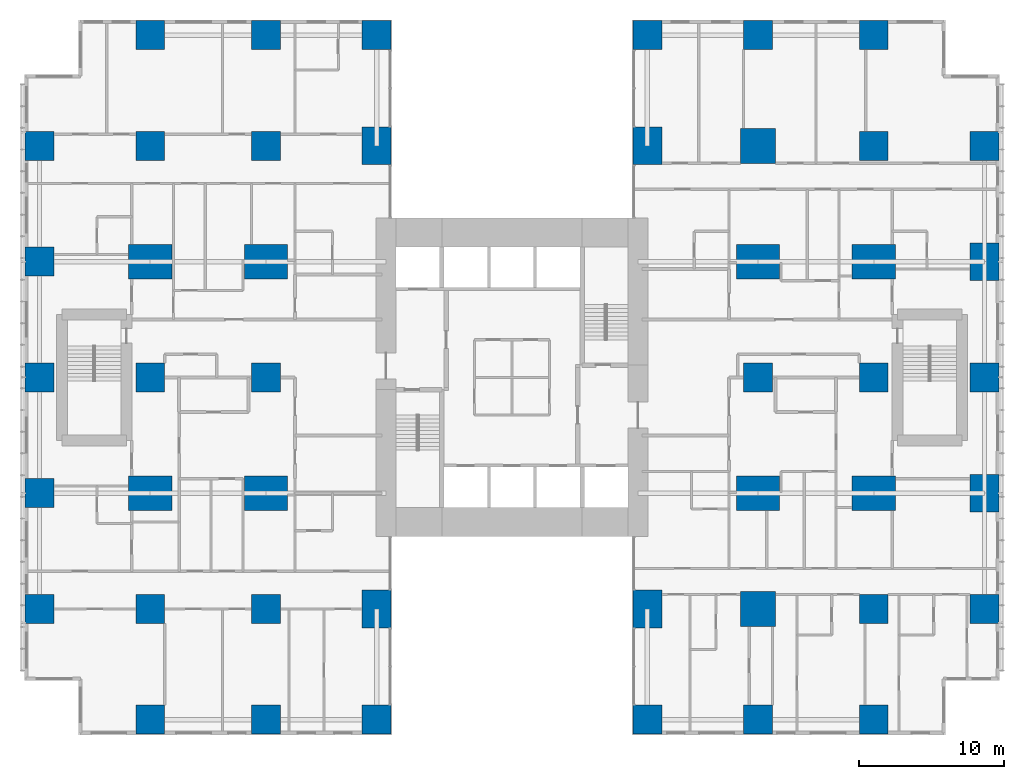
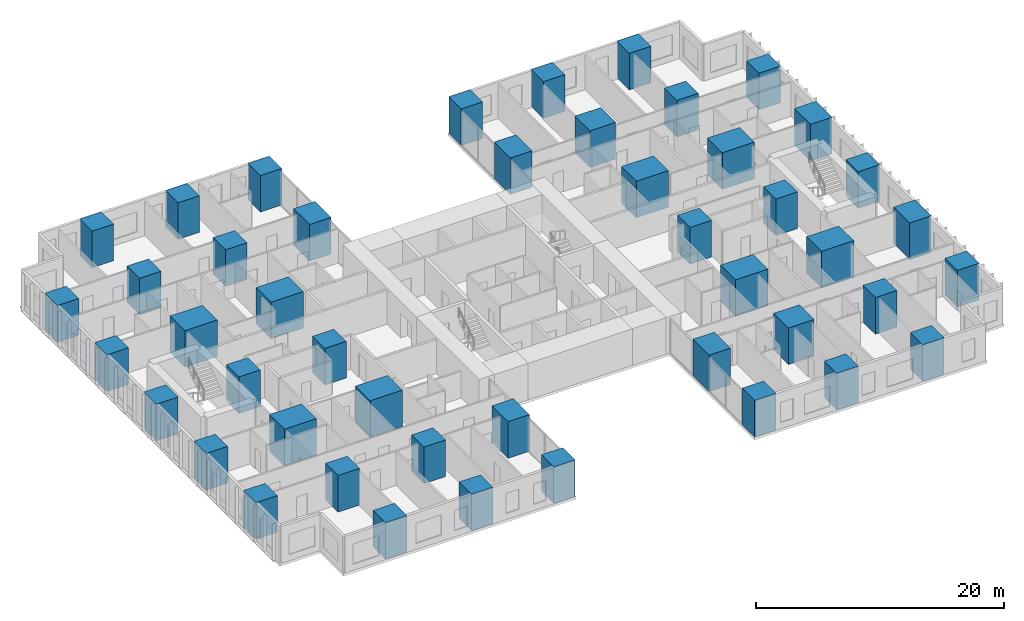
# One storey, part 1 of 20: 46 columns.
"""IFC4 building model written with IfcOpenShell, lengths in metres."""

import ifcopenshell
import ifcopenshell.guid

model = None  # the IFC model being written
_history = None  # IfcOwnerHistory: only IFC2X3 demands one
_inside = {}  # id of a spatial element -> (the spatial element, [elements in it])
_under = {}  # id of a project, library or spatial element -> (it, [spatial elements below it])
_declared = {}  # id of a project -> (the project, [libraries it declares])
_typed = {}  # id of a type object -> (the type object, [elements of that type])
_made_of = {}  # id of a material, layer set ... -> (it, [elements and type objects made of it])


def new_model(schema):
    """Start an empty IFC model of exactly this schema.

    Asked for "IFC4X3", IfcOpenShell would pick the latest addendum, in which some entities
    have other attributes; the version numbers below select the first issue.
    IFC2X3 requires an IfcOwnerHistory on every rooted entity: one is made here for all.
    """
    global model, _history
    if schema == "IFC4X3":
        model = ifcopenshell.file(schema_version=(4, 3, 0, 0))
    else:
        model = ifcopenshell.file(schema=schema)
    _inside.clear()
    _under.clear()
    _declared.clear()
    _typed.clear()
    _made_of.clear()
    _history = None
    if model.schema == "IFC2X3":
        org = make("IfcOrganization", Name="unknown")
        user = make(
            "IfcPersonAndOrganization",
            ThePerson=make("IfcPerson", FamilyName="unknown"),
            TheOrganization=org,
        )
        app = make(
            "IfcApplication",
            ApplicationDeveloper=org,
            Version="unknown",
            ApplicationFullName="unknown",
            ApplicationIdentifier="unknown",
        )
        _history = make(
            "IfcOwnerHistory",
            OwningUser=user,
            OwningApplication=app,
            ChangeAction="ADDED",
            CreationDate=0,
        )
    return model


def make(cls, **values):
    """One entity of the class cls with the attributes given. An attribute that is None is left unset."""
    return model.create_entity(
        cls, **{name: value for name, value in values.items() if value is not None}
    )


def rooted(cls, **values):
    """An entity with a GlobalId (a new one), such as an element, a storey or a relation."""
    return make(cls, GlobalId=ifcopenshell.guid.new(), OwnerHistory=_history, **values)


def si_unit(unit_type, name, prefix=None):
    """IfcSIUnit, for example si_unit("LENGTHUNIT", "METRE", prefix="MILLI")."""
    return make("IfcSIUnit", UnitType=unit_type, Prefix=prefix, Name=name)


def assignment(units):
    """IfcUnitAssignment: the units of a project."""
    return None if units is None else make("IfcUnitAssignment", Units=units)


def point(xyz):
    """IfcCartesianPoint."""
    return None if xyz is None else make("IfcCartesianPoint", Coordinates=xyz)


def direction(xyz):
    """IfcDirection."""
    return None if xyz is None else make("IfcDirection", DirectionRatios=xyz)


def frame(location, z_axis=None, x_axis=None):
    """IfcAxis2Placement3D, a coordinate frame: its origin and axes. An axis left out is left unset."""
    return make(
        "IfcAxis2Placement3D",
        Location=point(location),
        Axis=direction(z_axis),
        RefDirection=direction(x_axis),
    )


def frame_2d(location, x_axis=None):
    """IfcAxis2Placement2D, a coordinate frame in the plane: its origin and x axis."""
    return make(
        "IfcAxis2Placement2D", Location=point(location), RefDirection=direction(x_axis)
    )


def origin():
    """The frame at (0, 0, 0) with its axes left unset."""
    return frame((0.0, 0.0, 0.0))


def origin_2d():
    """The frame at (0, 0) in the plane with its x axis left unset."""
    return frame_2d((0.0, 0.0))


def place(relative_to, where):
    """IfcLocalPlacement: puts the frame where relative to a parent placement (None: the world)."""
    return make(
        "IfcLocalPlacement", PlacementRelTo=relative_to, RelativePlacement=where
    )


def context(
    kind, dimensions, precision=None, world=None, true_north=None, identifier=None
):
    """IfcGeometricRepresentationContext, for example the 3D "Model" context."""
    return make(
        "IfcGeometricRepresentationContext",
        ContextIdentifier=identifier,
        ContextType=kind,
        CoordinateSpaceDimension=dimensions,
        Precision=precision,
        WorldCoordinateSystem=world,
        TrueNorth=true_north,
    )


def subcontext(parent, identifier, kind, view, scale=None):
    """IfcGeometricRepresentationSubContext, for example "Body" below "Model"."""
    return make(
        "IfcGeometricRepresentationSubContext",
        ContextIdentifier=identifier,
        ContextType=kind,
        ParentContext=parent,
        TargetScale=scale,
        TargetView=view,
    )


def project(units=None, contexts=None):
    """IfcProject with its units and contexts."""
    return rooted(
        "IfcProject",
        Name="project",
        RepresentationContexts=contexts,
        UnitsInContext=assignment(units),
    )


def spatial(cls, under=None, at=None, **own):
    """A site, building, storey or space (cls), placed at a placement, below another one or the project."""
    s = rooted(cls, ObjectPlacement=at, **own)
    if under is not None:
        _under.setdefault(under.id(), (under, []))[1].append(s)
    return s


def profile(cls, at=None, kind="AREA", **sizes):
    """A parametric profile (cls). Its sizes go by their IFC names, for example OverallWidth=200.0."""
    return make(cls, ProfileType=kind, Position=at, **sizes)


def rectangle(**sizes):
    """IfcRectangleProfileDef."""
    return profile("IfcRectangleProfileDef", **sizes)


def extrude(swept, where, along, depth):
    """IfcExtrudedAreaSolid: the profile swept, set in the frame where, extruded along a direction by depth."""
    return make(
        "IfcExtrudedAreaSolid",
        SweptArea=swept,
        Position=where,
        ExtrudedDirection=direction(along),
        Depth=depth,
    )


def shape(context_of_items, identifier, shape_type, items):
    """IfcShapeRepresentation: the items that make up one representation, for example the "Body"."""
    return make(
        "IfcShapeRepresentation",
        ContextOfItems=context_of_items,
        RepresentationIdentifier=identifier,
        RepresentationType=shape_type,
        Items=items,
    )


def material(Name=None, Category=None):
    """IfcMaterial."""
    return make("IfcMaterial", Name=Name, Category=Category)


def material_profile(
    of_material, cross_section, Name=None, Category=None, Priority=None
):
    """IfcMaterialProfile: a cross section and its material."""
    return make(
        "IfcMaterialProfile",
        Name=Name,
        Material=of_material,
        Profile=cross_section,
        Priority=Priority,
        Category=Category,
    )


def profile_set(profiles, Name=None, composite=None):
    """IfcMaterialProfileSet."""
    return make(
        "IfcMaterialProfileSet",
        Name=Name,
        MaterialProfiles=profiles,
        CompositeProfile=composite,
    )


def made_of(thing, what):
    """Note that an element or type object is made of a material, layer set ...; save() writes the relation."""
    if what is not None:
        _made_of.setdefault(what.id(), (what, []))[1].append(thing)
    return thing


def type_object(cls, material=None, **own):
    """A type object (cls), such as IfcWallType, which elements share."""
    return made_of(rooted(cls, **own), material)


def element(
    cls,
    number,
    at=None,
    inside=None,
    cuts=None,
    type_object=None,
    material=None,
    context=None,
    identifier="Body",
    shape_type=None,
    held_by="IfcProductDefinitionShape",
    body=None,
    shapes=None,
    **own,
):
    """One element of the class cls, such as IfcWall. Its Tag is "e" and its number.

    at: its placement. inside: the storey or other place that contains it. cuts: it is an
    opening in that element (IfcRelVoidsElement). A single representation is given by context,
    identifier, shape_type and body (its items); several are given by shapes. held_by: the class
    of the entity that holds the representations. save() writes the other relations.
    """
    e = rooted(cls, Tag="e%d" % number, ObjectPlacement=at, **own)
    if body is not None:
        shapes = [shape(context, identifier, shape_type, body)]
    if shapes is not None:
        e.Representation = make(held_by, Representations=shapes)
    if inside is not None:
        _inside.setdefault(inside.id(), (inside, []))[1].append(e)
    if cuts is not None:
        rooted(
            "IfcRelVoidsElement", RelatingBuildingElement=cuts, RelatedOpeningElement=e
        )
    if type_object is not None:
        _typed.setdefault(type_object.id(), (type_object, []))[1].append(e)
    return made_of(e, material)


def aggregate(whole, parts):
    """IfcRelAggregates: a whole, such as a stair, and the parts it consists of."""
    return rooted("IfcRelAggregates", RelatingObject=whole, RelatedObjects=parts)


def save(model, path):
    """Write the relations noted so far, then the file.

    IfcRelAggregates (storeys below a building ...), IfcRelContainedInSpatialStructure (elements
    in a storey), IfcRelDefinesByType, IfcRelAssociatesMaterial and IfcRelDeclares: one each for
    every whole, place, type object, material and project.
    """
    for whole, parts in _under.values():
        aggregate(whole, parts)
    for where, things in _inside.values():
        rooted(
            "IfcRelContainedInSpatialStructure",
            RelatedElements=things,
            RelatingStructure=where,
        )
    for kind, things in _typed.values():
        rooted("IfcRelDefinesByType", RelatedObjects=things, RelatingType=kind)
    for what, things in _made_of.values():
        rooted("IfcRelAssociatesMaterial", RelatedObjects=things, RelatingMaterial=what)
    for by, libraries in _declared.values():
        rooted("IfcRelDeclares", RelatingContext=by, RelatedDefinitions=libraries)
    model.write(path)


model = new_model("IFC4")

# Units and contexts
model_context = context("Model", 3, precision=1e-05, world=origin(), true_north=direction((0.0, 1.0)))
body_context = subcontext(model_context, "Body", "Model", "MODEL_VIEW")
ifc_project = project(units=[si_unit("LENGTHUNIT", "METRE"), si_unit("AREAUNIT", "SQUARE_METRE"), si_unit("VOLUMEUNIT", "CUBIC_METRE"), si_unit("PLANEANGLEUNIT", "RADIAN"), si_unit("MASSUNIT", "GRAM", prefix="KILO")], contexts=[model_context])

# Site, building, storey
site_placement = place(None, origin())
site = spatial("IfcSite", under=ifc_project, at=site_placement, CompositionType="ELEMENT")
building_placement = place(site_placement, origin())
building = spatial("IfcBuilding", under=site, at=building_placement, Name="Cleftline Residences", CompositionType="ELEMENT")
storey_placement = place(building_placement, frame((0.0, 0.0, 51.199951171875)))
storey = spatial("IfcBuildingStorey", under=building, at=storey_placement, Name="L12", CompositionType="ELEMENT", Elevation=51.199951171875)

# Columns
ifc_material_1 = material(Name="Concrete B70", Category="concrete")
ifc_material_profile_1 = material_profile(ifc_material_1, rectangle(XDim=2.0, YDim=2.0, at=origin_2d()))
ifc_profile_set_1 = profile_set([ifc_material_profile_1], Name="Concrete B70")
column_type_1 = type_object("IfcColumnType", Name="COLUMN RC2000X2000", PredefinedType="COLUMN", material=ifc_profile_set_1)
for number, where, z_axis, x_axis, name in (
    (1, (0.35009765625, 8.0, 0.0), (0.0, 0.0, 1.0), (1.0, 0.0, 0.0), "Column D/3"),
    (2, (0.35009765625, 16.0, 0.0), (0.0, 0.0, 1.0), (1.0, 0.0, 0.0), "Column E/3"),
    (3, (0.35009765625, 24.0, 0.0), (0.0, 0.0, 1.0), (1.0, 0.0, 0.0), "Column F/3"),
    (4, (0.35009765625, 32.0, 0.0), (0.0, 0.0, 1.0), (1.0, 0.0, 0.0), "Column G/3"),
    (5, (0.35009765625, 40.0, 0.0), (0.0, 0.0, 1.0), (1.0, 0.0, 0.0), "Column H/3"),
    (6, (8.0, 0.35009765625, 0.0), (0.0, 0.0, 1.0), (1.0, 0.0, 0.0), "Column C/4"),
    (7, (8.0, 8.0, 0.0), (0.0, 0.0, 1.0), (1.0, 0.0, 0.0), "Column D/4"),
    (8, (8.0, 24.0, 0.0), (0.0, 0.0, 1.0), (1.0, 0.0, 0.0), "Column F/4"),
    (9, (8.0, 40.0, 0.0), (0.0, 0.0, 1.0), (1.0, 0.0, 0.0), "Column H/4"),
    (10, (8.0, 47.64990234375, 0.0), (0.0, 0.0, 1.0), (1.0, 0.0, 0.0), "Column J/4"),
    (11, (16.0, 0.35009765625, 0.0), (0.0, 0.0, 1.0), (1.0, 0.0, 0.0), "Column C/5"),
    (12, (16.0, 8.0, 0.0), (0.0, 0.0, 1.0), (1.0, 0.0, 0.0), "Column D/5"),
    (13, (16.0, 24.0, 0.0), (0.0, 0.0, 1.0), (1.0, 0.0, 0.0), "Column F/5"),
    (14, (16.0, 40.0, 0.0), (0.0, 0.0, 1.0), (1.0, 0.0, 0.0), "Column H/5"),
    (15, (16.0, 47.64990234375, 0.0), (0.0, 0.0, 1.0), (1.0, 0.0, 0.0), "Column J/5"),
    (16, (23.64990234375, 0.35009765625, 0.0), (0.0, 0.0, 1.0), (1.0, 0.0, 0.0), "Column C/6"),
    (17, (23.64990234375, 47.64990234375, 0.0), (0.0, 0.0, 1.0), (1.0, 0.0, 0.0), "Column J/6"),
    (18, (42.35009765625, 0.35009765625, 0.0), (0.0, 0.0, 1.0), (1.0, 0.0, 0.0), "Column C/8"),
    (19, (42.35009765625, 47.64990234375, 0.0), (0.0, 0.0, 1.0), (1.0, 0.0, 0.0), "Column J/8"),
    (20, (50.0, 0.35009765625, 0.0), (0.0, 0.0, 1.0), (1.0, 0.0, 0.0), "Column C/9"),
    (21, (50.0, 24.0, 0.0), (0.0, 0.0, 1.0), (1.0, 0.0, 0.0), "Column F/9"),
    (22, (50.0, 47.64990234375, 0.0), (0.0, 0.0, 1.0), (1.0, 0.0, 0.0), "Column J/9"),
    (23, (58.0, 0.35009765625, 0.0), (0.0, 0.0, 1.0), (1.0, 0.0, 0.0), "Column C/10"),
    (24, (58.0, 8.0, 0.0), (0.0, 0.0, 1.0), (1.0, 0.0, 0.0), "Column D/10"),
    (25, (58.0, 24.0, 0.0), (0.0, 0.0, 1.0), (1.0, 0.0, 0.0), "Column F/10"),
    (26, (58.0, 40.0, 0.0), (0.0, 0.0, 1.0), (1.0, 0.0, 0.0), "Column H/10"),
    (27, (58.0, 47.64990234375, 0.0), (0.0, 0.0, 1.0), (1.0, 0.0, 0.0), "Column J/10"),
    (28, (65.64990234375, 8.0, 0.0), (0.0, 0.0, 1.0), (1.0, 0.0, 0.0), "Column D/11"),
    (29, (65.64990234375, 24.0, 0.0), (0.0, 0.0, 1.0), (1.0, 0.0, 0.0), "Column F/11"),
    (30, (65.64990234375, 40.0, 0.0), (0.0, 0.0, 1.0), (1.0, 0.0, 0.0), "Column H/11"),
):
    element("IfcColumn", number, at=place(storey_placement, frame(where, z_axis=z_axis, x_axis=x_axis)), inside=storey, type_object=column_type_1, Name=name, PredefinedType="COLUMN", context=body_context, shape_type="SweptSolid", body=[
        extrude(rectangle(XDim=2.0, YDim=2.0, at=origin_2d()), origin(), (0.0, 0.0, 1.0), 3.60009765625),
    ])
ifc_material_2 = material(Name="Concrete B70", Category="concrete")
ifc_material_profile_2 = material_profile(ifc_material_2, rectangle(XDim=2.0, YDim=2.60009765625, at=origin_2d()))
ifc_profile_set_2 = profile_set([ifc_material_profile_2], Name="Concrete B70")
column_type_2 = type_object("IfcColumnType", Name="COLUMN RC2000X2600", PredefinedType="COLUMN", material=ifc_profile_set_2)
for number, where, z_axis, x_axis, name in (
    (31, (23.64990234375, 8.0, 0.0), (0.0, 0.0, 1.0), (1.0, 0.0, 0.0), "Column D/6"),
    (32, (23.64990234375, 40.0, 0.0), (0.0, 0.0, 1.0), (1.0, 0.0, 0.0), "Column H/6"),
    (33, (42.35009765625, 8.0, 0.0), (0.0, 0.0, 1.0), (1.0, 0.0, 0.0), "Column D/8"),
    (34, (42.35009765625, 40.0, 0.0), (0.0, 0.0, 1.0), (1.0, 0.0, 0.0), "Column H/8"),
):
    element("IfcColumn", number, at=place(storey_placement, frame(where, z_axis=z_axis, x_axis=x_axis)), inside=storey, type_object=column_type_2, Name=name, PredefinedType="COLUMN", context=body_context, shape_type="SweptSolid", body=[
        extrude(rectangle(XDim=2.0, YDim=2.60009765625, at=origin_2d()), origin(), (0.0, 0.0, 1.0), 3.60009765625),
    ])
ifc_material_3 = material(Name="Concrete B70", Category="concrete")
ifc_material_profile_3 = material_profile(ifc_material_3, rectangle(XDim=2.39990234375, YDim=2.39990234375, at=origin_2d()))
ifc_profile_set_3 = profile_set([ifc_material_profile_3], Name="Concrete B70")
column_type_3 = type_object("IfcColumnType", Name="COLUMN RC2400X2400", PredefinedType="COLUMN", material=ifc_profile_set_3)
for number, where, z_axis, x_axis, name in (
    (35, (50.0, 8.0, 0.0), (0.0, 0.0, 1.0), (1.0, 0.0, 0.0), "Column D/9"),
    (36, (50.0, 40.0, 0.0), (0.0, 0.0, 1.0), (1.0, 0.0, 0.0), "Column H/9"),
):
    element("IfcColumn", number, at=place(storey_placement, frame(where, z_axis=z_axis, x_axis=x_axis)), inside=storey, type_object=column_type_3, Name=name, PredefinedType="COLUMN", context=body_context, shape_type="SweptSolid", body=[
        extrude(rectangle(XDim=2.39990234375, YDim=2.39990234375, at=origin_2d()), origin(), (0.0, 0.0, 1.0), 3.60009765625),
    ])
ifc_material_4 = material(Name="Concrete B70", Category="concrete")
ifc_material_profile_4 = material_profile(ifc_material_4, rectangle(XDim=2.60009765625, YDim=2.0, at=origin_2d()))
ifc_profile_set_4 = profile_set([ifc_material_profile_4], Name="Concrete B70")
column_type_4 = type_object("IfcColumnType", Name="COLUMN RC2600X2000", PredefinedType="COLUMN", material=ifc_profile_set_4)
for number, where, z_axis, x_axis, name in (
    (37, (65.64990234375, 16.0, 0.0), (0.0, 0.0, 1.0), (0.0, 1.0, 0.0), "Column E/11"),
    (38, (65.64990234375, 32.0, 0.0), (0.0, 0.0, 1.0), (0.0, 1.0, 0.0), "Column G/11"),
):
    element("IfcColumn", number, at=place(storey_placement, frame(where, z_axis=z_axis, x_axis=x_axis)), inside=storey, type_object=column_type_4, Name=name, PredefinedType="COLUMN", context=body_context, shape_type="SweptSolid", body=[
        extrude(rectangle(XDim=2.60009765625, YDim=2.0, at=origin_2d()), origin(), (0.0, 0.0, 1.0), 3.60009765625),
    ])
ifc_material_5 = material(Name="Concrete B70", Category="concrete")
ifc_material_profile_5 = material_profile(ifc_material_5, rectangle(XDim=3.0, YDim=2.39990234375, at=origin_2d()))
ifc_profile_set_5 = profile_set([ifc_material_profile_5], Name="Concrete B70")
column_type_5 = type_object("IfcColumnType", Name="COLUMN RC3000X2400", PredefinedType="COLUMN", material=ifc_profile_set_5)
for number, where, z_axis, x_axis, name in (
    (39, (8.0, 16.0, 0.0), (0.0, 0.0, 1.0), (1.0, 0.0, 0.0), "Column E/4"),
    (40, (8.0, 32.0, 0.0), (0.0, 0.0, 1.0), (1.0, 0.0, 0.0), "Column G/4"),
    (41, (16.0, 16.0, 0.0), (0.0, 0.0, 1.0), (1.0, 0.0, 0.0), "Column E/5"),
    (42, (16.0, 32.0, 0.0), (0.0, 0.0, 1.0), (1.0, 0.0, 0.0), "Column G/5"),
    (43, (50.0, 16.0, 0.0), (0.0, 0.0, 1.0), (1.0, 0.0, 0.0), "Column E/9"),
    (44, (50.0, 32.0, 0.0), (0.0, 0.0, 1.0), (1.0, 0.0, 0.0), "Column G/9"),
    (45, (58.0, 16.0, 0.0), (0.0, 0.0, 1.0), (1.0, 0.0, 0.0), "Column E/10"),
    (46, (58.0, 32.0, 0.0), (0.0, 0.0, 1.0), (1.0, 0.0, 0.0), "Column G/10"),
):
    element("IfcColumn", number, at=place(storey_placement, frame(where, z_axis=z_axis, x_axis=x_axis)), inside=storey, type_object=column_type_5, Name=name, PredefinedType="COLUMN", context=body_context, shape_type="SweptSolid", body=[
        extrude(rectangle(XDim=3.0, YDim=2.39990234375, at=origin_2d()), origin(), (0.0, 0.0, 1.0), 3.60009765625),
    ])

save(model, "model.ifc")
